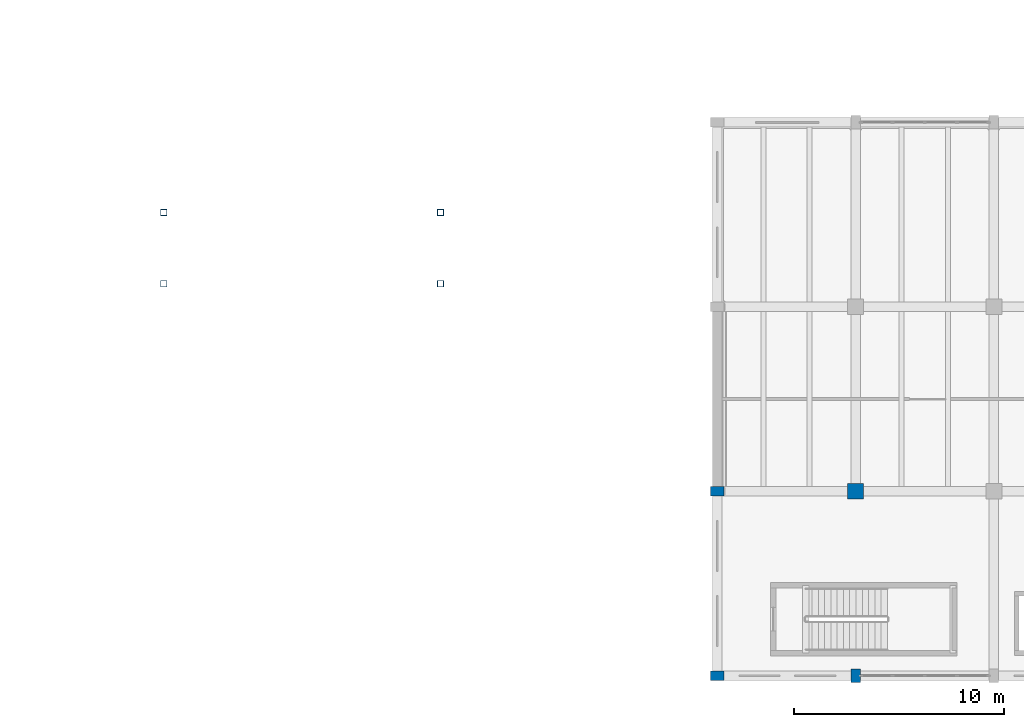
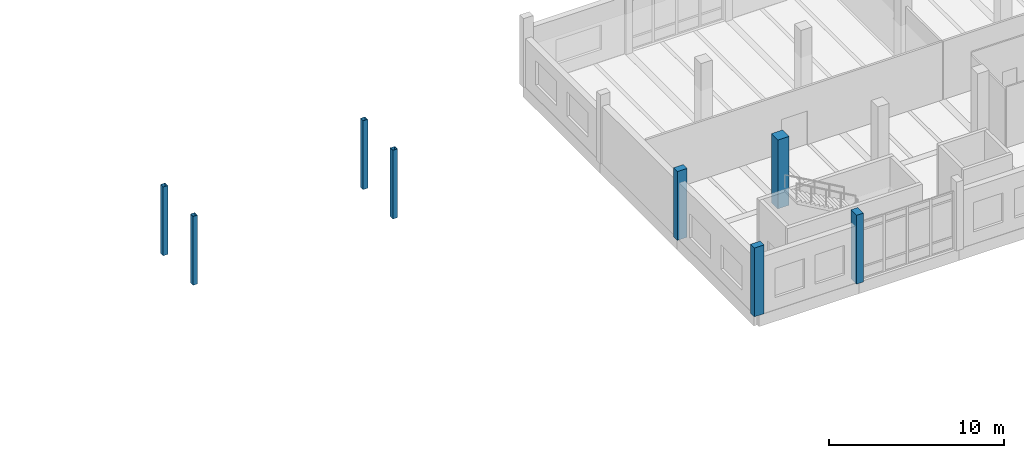
# One storey, part 4 of 125: 8 columns.
"""IFC4 building model written with IfcOpenShell, lengths in metres."""

from ifc_helpers import new_model, si_unit, direction, frame, origin, origin_2d, place, context, subcontext, project, spatial, rectangle, hollow_rectangle, extrude, material, material_profile, profile_set, type_object, element, save


model = new_model("IFC4")

# Units and contexts
model_context = context("Model", 3, precision=1e-05, world=origin(), true_north=direction((0.0, 1.0)))
body_context = subcontext(model_context, "Body", "Model", "MODEL_VIEW")
ifc_project = project(units=[si_unit("LENGTHUNIT", "METRE"), si_unit("AREAUNIT", "SQUARE_METRE"), si_unit("VOLUMEUNIT", "CUBIC_METRE"), si_unit("PLANEANGLEUNIT", "RADIAN"), si_unit("MASSUNIT", "GRAM", prefix="KILO")], contexts=[model_context])

# Site, building, storey
site_placement = place(None, origin())
site = spatial("IfcSite", under=ifc_project, at=site_placement, CompositionType="ELEMENT")
building_placement = place(site_placement, origin())
building = spatial("IfcBuilding", under=site, at=building_placement, Name="Dornvale Research Institute", CompositionType="ELEMENT")
storey_placement = place(building_placement, frame((0.0, 0.0, 5.39990234375)))
storey = spatial("IfcBuildingStorey", under=building, at=storey_placement, Name="L01", CompositionType="ELEMENT", Elevation=5.39990234375)

# Columns
ifc_material_1 = material(Name="Concrete f'c 50 MPa (C40/50)", Category="concrete")
ifc_material_profile_1 = material_profile(ifc_material_1, rectangle(XDim=0.75, YDim=0.75, at=origin_2d()), Name="RC 750x750")
ifc_profile_set_1 = profile_set([ifc_material_profile_1], Name="Concrete f'c 50 MPa (C40/50)")
column_type_1 = type_object("IfcColumnType", Name="Column_RC750", PredefinedType="COLUMN", material=ifc_profile_set_1)
column_placement = place(storey_placement, frame((105.60009765625, 8.800048828125, 0.0), z_axis=(0.0, 0.0, 1.0), x_axis=(1.0, 0.0, 0.0)))
element("IfcColumn", 1, at=column_placement, inside=storey, type_object=column_type_1, Name="L01 column #835", PredefinedType="COLUMN", context=body_context, shape_type="SweptSolid", body=[
    extrude(rectangle(XDim=0.75, YDim=0.75, at=origin_2d()), origin(), (0.0, 0.0, 1.0), 4.800048828125),
])
ifc_material_2 = material(Name="Steel ASTM A500 Grade C", Category="steel")
ifc_material_profile_2 = material_profile(ifc_material_2, hollow_rectangle(XDim=0.304931640625, YDim=0.304931640625, WallThickness=0.01171875, at=origin_2d()), Name="HSS305X305X12.7")
ifc_profile_set_2 = profile_set([ifc_material_profile_2], Name="Steel ASTM A500 Grade C")
column_type_2 = type_object("IfcColumnType", Name="Column_Steel_HSS305_Ext", PredefinedType="COLUMN", material=ifc_profile_set_2)
for number, where, z_axis, x_axis, name in (
    (2, (72.60009765625, 18.699951171875, 0.0), (0.0, 0.0, 1.0), (1.0, 0.0, 0.0), "L01 cloister link bridge pier #37"),
    (3, (85.800048828125, 18.699951171875, 0.0), (0.0, 0.0, 1.0), (1.0, 0.0, 0.0), "L01 cloister link bridge pier #41"),
    (4, (72.60009765625, 22.10009765625, 0.0), (0.0, 0.0, 1.0), (1.0, 0.0, 0.0), "L01 cloister link bridge pier #49"),
    (5, (85.800048828125, 22.10009765625, 0.0), (0.0, 0.0, 1.0), (1.0, 0.0, 0.0), "L01 cloister link bridge pier #53"),
):
    element("IfcColumn", number, at=place(storey_placement, frame(where, z_axis=z_axis, x_axis=x_axis)), inside=storey, type_object=column_type_2, Name=name, PredefinedType="COLUMN", context=body_context, shape_type="SweptSolid", body=[
        extrude(hollow_rectangle(XDim=0.304931640625, YDim=0.304931640625, WallThickness=0.01171875, at=origin_2d()), origin(), (0.0, 0.0, 1.0), 4.800048828125),
    ])
ifc_material_3 = material(Name="Concrete f'c 45 MPa (C35/45)", Category="concrete")
ifc_material_profile_3 = material_profile(ifc_material_3, rectangle(XDim=0.449951171875, YDim=0.64990234375, at=origin_2d()), Name="RC 450x650")
ifc_profile_set_3 = profile_set([ifc_material_profile_3], Name="Concrete f'c 45 MPa (C35/45)")
column_type_3 = type_object("IfcColumnType", Name="Pilaster_RC450x650_Ext", PredefinedType="PILASTER", material=ifc_profile_set_3)
for number, where, z_axis, x_axis, name in (
    (6, (99.0, 0.0, 0.0), (0.0, 0.0, 1.0), (0.0, 1.0, 0.0), "L01 column #830"),
    (7, (99.0, 8.800048828125, 0.0), (0.0, 0.0, 1.0), (0.0, 1.0, 0.0), "L01 column #831"),
    (8, (105.60009765625, 0.0, 0.0), (0.0, 0.0, 1.0), (1.0, 0.0, 0.0), "L01 column #834"),
):
    element("IfcColumn", number, at=place(storey_placement, frame(where, z_axis=z_axis, x_axis=x_axis)), inside=storey, type_object=column_type_3, Name=name, PredefinedType="PILASTER", context=body_context, shape_type="SweptSolid", body=[
        extrude(rectangle(XDim=0.449951171875, YDim=0.64990234375, at=origin_2d()), origin(), (0.0, 0.0, 1.0), 4.800048828125),
    ])

save(model, "model.ifc")
